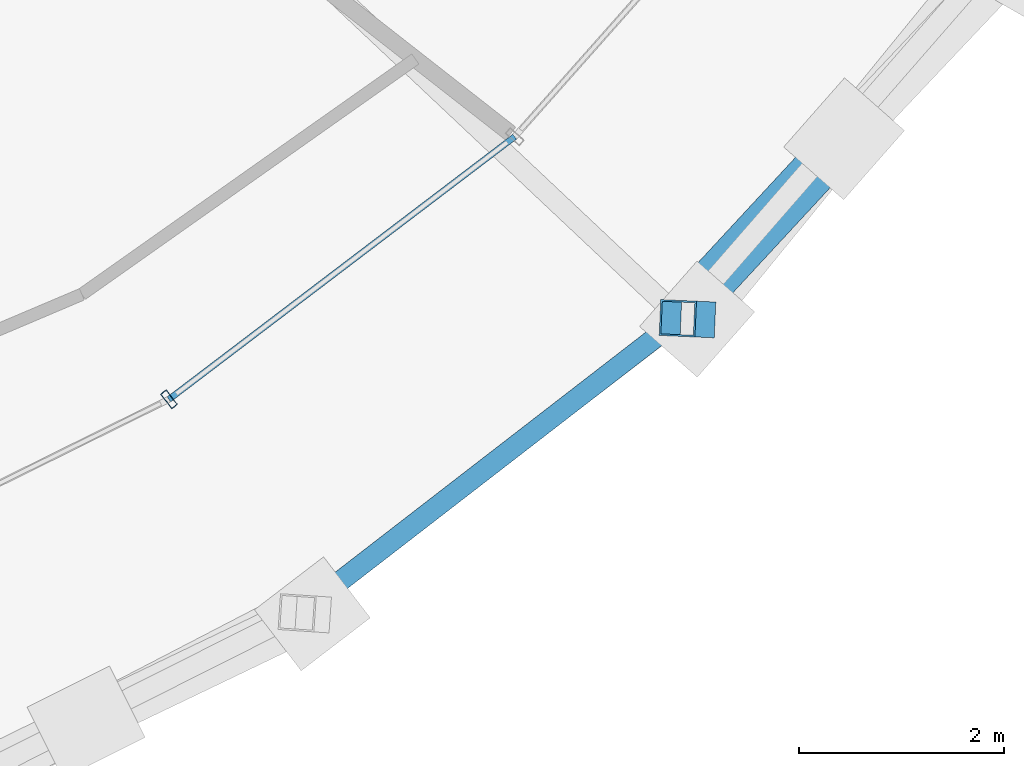
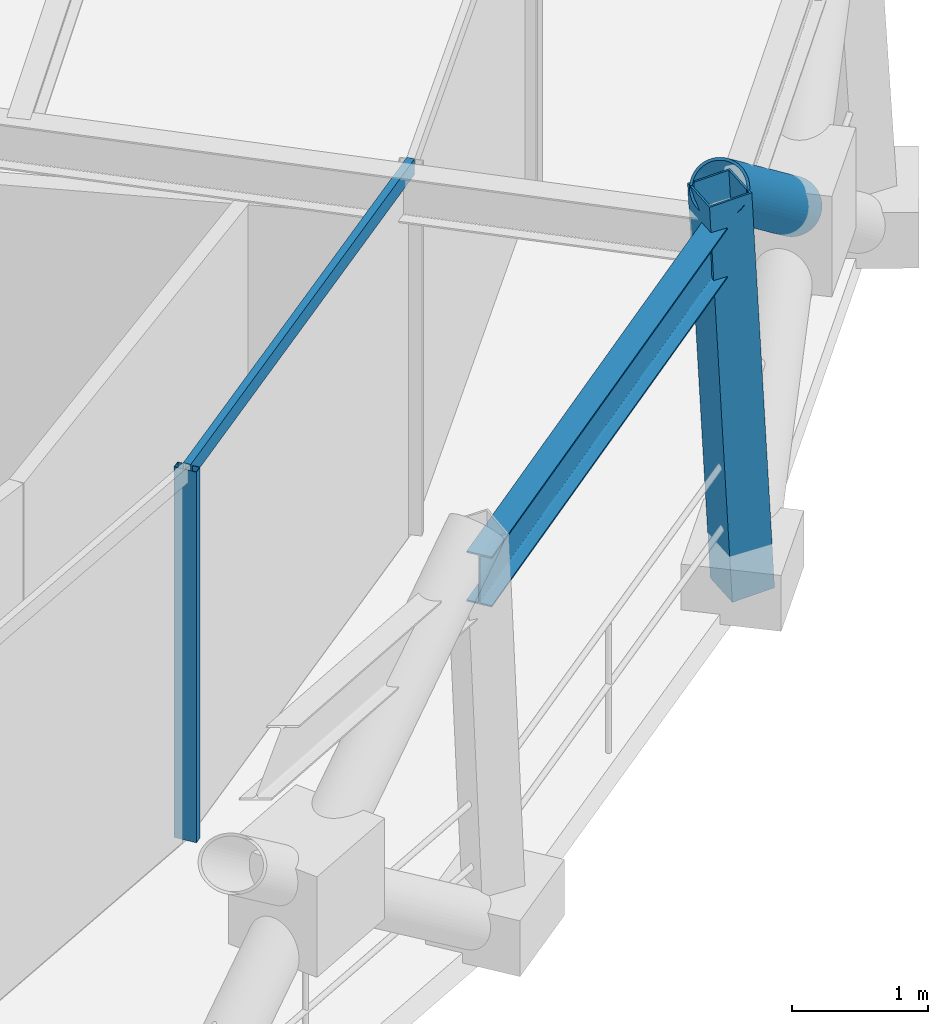
# One storey, part 4 of 17: 4 members, 1 beam, 1 element without a shape of its own.
"""IFC4 building model written with IfcOpenShell, lengths in metres."""

from ifc_helpers import new_model, si_unit, direction, frame, origin, origin_2d, place, context, subcontext, project, spatial, hollow_rectangle, hollow_circle, i_section, extrude, material, layer, layer_set, material_profile, profile_set, type_object, element, aggregate, save


model = new_model("IFC4")

# Units and contexts
model_context = context("Model", 3, precision=1e-05, world=origin(), true_north=direction((0.0, 1.0)))
body_context = subcontext(model_context, "Body", "Model", "MODEL_VIEW")
ifc_project = project(units=[si_unit("LENGTHUNIT", "METRE"), si_unit("AREAUNIT", "SQUARE_METRE"), si_unit("VOLUMEUNIT", "CUBIC_METRE"), si_unit("PLANEANGLEUNIT", "RADIAN"), si_unit("MASSUNIT", "GRAM", prefix="KILO")], contexts=[model_context])

# Site, building, storey
site_placement = place(None, origin())
site = spatial("IfcSite", under=ifc_project, at=site_placement, CompositionType="ELEMENT")
building_placement = place(site_placement, origin())
building = spatial("IfcBuilding", under=site, at=building_placement, Name="Veldorina Hangang Commons", CompositionType="ELEMENT")
storey_placement = place(building_placement, frame((0.0, 0.0, 225.60009765625)))
storey = spatial("IfcBuildingStorey", under=building, at=storey_placement, Name="L58", CompositionType="ELEMENT", Elevation=225.60009765625)

# Beam
ifc_material_1 = material(Name="Steel SM355-TMC", Category="steel")
ifc_material_profile_1 = material_profile(ifc_material_1, i_section(OverallWidth=0.199951171875, OverallDepth=0.449951171875, WebThickness=0.009033203125, FlangeThickness=0.013916015625, FilletRadius=0.01611328125, at=origin_2d()), Name="H-450x200x9x14")
ifc_profile_set_1 = profile_set([ifc_material_profile_1], Name="Steel SM355-TMC")
beam_type = type_object("IfcBeamType", Name="BM-RB450", PredefinedType="BEAM", material=ifc_profile_set_1)
beam_placement = place(storey_placement, frame((45.6494140625, 4.7666015625, 3.135009765625), z_axis=(0.791312388502, 0.611412057293, 0.0), x_axis=(-0.611412057293, 0.791312388502, 0.0)))
element("IfcBeam", 1, at=beam_placement, inside=storey, type_object=beam_type, Name="L58 perimeter hoop ring beam 27", PredefinedType="BEAM", context=body_context, shape_type="SweptSolid", body=[
    extrude(i_section(OverallWidth=0.199951171875, OverallDepth=0.449951171875, WebThickness=0.009033203125, FlangeThickness=0.013916015625, FilletRadius=0.01611328125, at=origin_2d()), origin(), (0.0, 0.0, 1.0), 4.705078125),
])

# Curtain wall, members
ifc_material_2 = material(Name="Glass Low-E Selective", Category="glass")
ifc_layer = layer(ifc_material_2, 0.179931640625)
ifc_layer_set = layer_set([ifc_layer], Name="Glass Low-E Selective")
curtain_wall_type = type_object("IfcCurtainWallType", Name="CW-SYS-Z3", PredefinedType="NOTDEFINED", material=ifc_layer_set)
curtain_wall_placement = place(storey_placement, origin())
curtain_wall = element("IfcCurtainWall", 2, at=curtain_wall_placement, inside=storey, type_object=curtain_wall_type, Name="L58 unitised curtain wall CW-L58-R1", PredefinedType="NOTDEFINED")
ifc_material_3 = material(Name="Aluminium Anodized AA6063-T6", Category="aluminium")
ifc_material_profile_2 = material_profile(ifc_material_3, hollow_rectangle(XDim=0.070068359375, YDim=0.179931640625, WallThickness=0.00390625, at=origin_2d()), Name="ALU-RHS-180x70x4")
ifc_profile_set_2 = profile_set([ifc_material_profile_2], Name="Aluminium Anodized AA6063-T6")
member_type_1 = type_object("IfcMemberType", Name="CW-MUL-180", PredefinedType="MULLION", material=ifc_profile_set_2)
member_1_placement = place(storey_placement, frame((44.37841796875, 6.85302734375, 0.0), z_axis=(0.0, 0.0, 1.0), x_axis=(0.796318824597, 0.604877119416, 0.0)))
member_1 = element("IfcMember", 3, at=member_1_placement, type_object=member_type_1, Name="CW-L58-R1 vertical mullion 2", PredefinedType="MULLION", context=body_context, shape_type="SweptSolid", body=[
    extrude(hollow_rectangle(XDim=0.070068359375, YDim=0.179931640625, WallThickness=0.00390625, at=origin_2d()), origin(), (0.0, 0.0, 1.0), 3.31982421875),
])
ifc_material_profile_3 = material_profile(ifc_material_3, hollow_rectangle(XDim=0.06005859375, YDim=0.139892578125, WallThickness=0.00341796875, at=origin_2d()), Name="ALU-RHS-140x60x3.5")
ifc_profile_set_3 = profile_set([ifc_material_profile_3], Name="Aluminium Anodized AA6063-T6")
member_type_2 = type_object("IfcMemberType", Name="CW-TRN-140", PredefinedType="USERDEFINED", material=ifc_profile_set_3)
member_2_placement = place(storey_placement, frame((44.37841796875, 6.85302734375, 3.27978515625), z_axis=(0.796323049588, 0.604871557188, 0.0), x_axis=(-0.604871557188, 0.796323049588, 0.0)))
member_2 = element("IfcMember", 4, at=member_2_placement, type_object=member_type_2, Name="CW-L58-R1 facet 3 transom 1", ObjectType="TRANSOM", PredefinedType="USERDEFINED", context=body_context, shape_type="SweptSolid", body=[
    extrude(hollow_rectangle(XDim=0.06005859375, YDim=0.139892578125, WallThickness=0.00341796875, at=origin_2d()), origin(), (0.0, 0.0, 1.0), 4.239990234375),
])
aggregate(curtain_wall, [member_1, member_2])

# Members
ifc_material_profile_4 = material_profile(ifc_material_1, hollow_circle(Radius=0.22509765625, WallThickness=0.02197265625, at=origin_2d()), Name="CHS-450x22")
ifc_profile_set_4 = profile_set([ifc_material_profile_4], Name="Steel SM355-TMC")
member_type_3 = type_object("IfcMemberType", Name="DG-CHS450", PredefinedType="BRACE", material=ifc_profile_set_4)
member_3_placement = place(storey_placement, frame((50.9716796875, 9.397216796875, 1.804443359375), z_axis=(-0.543230648325, -0.586525722552, 0.60073957711), x_axis=(0.733666333544, -0.679509905023, 0.0)))
element("IfcMember", 5, at=member_3_placement, inside=storey, type_object=member_type_3, Name="L58 split perimeter diagrid upper brace 29", PredefinedType="BRACE", context=body_context, shape_type="SweptSolid", body=[
    extrude(hollow_circle(Radius=0.22509765625, WallThickness=0.02197265625, at=origin_2d()), origin(), (0.0, 0.0, 1.0), 2.98876953125),
])
ifc_material_profile_5 = material_profile(ifc_material_1, hollow_rectangle(XDim=0.35009765625, YDim=0.35009765625, WallThickness=0.01611328125, at=origin_2d()), Name="SHS-350x350x16")
ifc_profile_set_5 = profile_set([ifc_material_profile_5], Name="Steel SM355-TMC")
member_type_4 = type_object("IfcMemberType", Name="STR-SHS350", PredefinedType="STRUT", material=ifc_profile_set_5)
member_4_placement = place(storey_placement, frame((49.53662109375, 7.635986328125, 0.0), z_axis=(-0.052284978824, 0.002302706321, 0.9986295502), x_axis=(-0.043998800326, -0.99903158387, 0.0)))
element("IfcMember", 6, at=member_4_placement, inside=storey, type_object=member_type_4, Name="L58 perimeter ring node post 28", PredefinedType="STRUT", context=body_context, shape_type="SweptSolid", body=[
    extrude(hollow_rectangle(XDim=0.35009765625, YDim=0.35009765625, WallThickness=0.01611328125, at=origin_2d()), origin(), (0.0, 0.0, 1.0), 3.604736328125),
])

save(model, "model.ifc")
